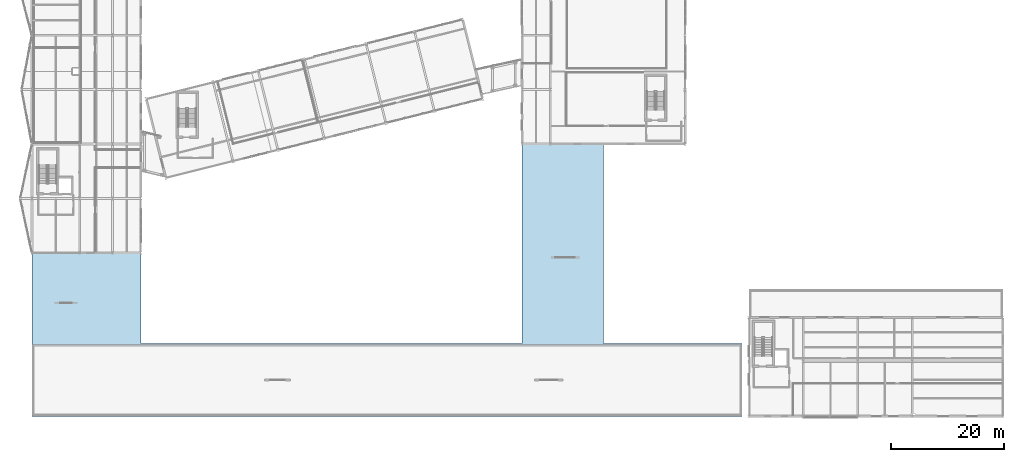
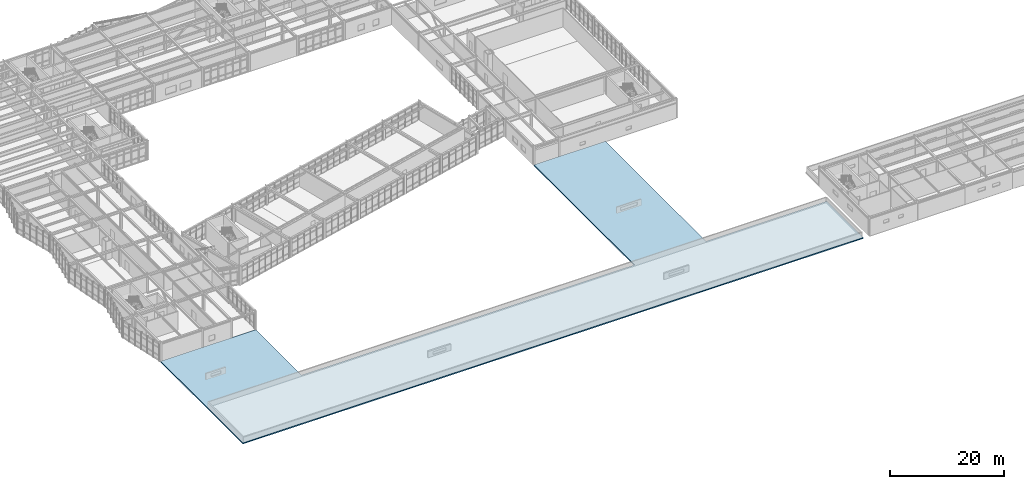
# One storey, part 52 of 88: 1 slab.
"""IFC4 building model written with IfcOpenShell, lengths in metres."""

from ifc_helpers import new_model, si_unit, direction, frame, origin, place, context, subcontext, project, spatial, polyline, outline, extrude, material, layer, layer_set, type_object, element, save


model = new_model("IFC4")

# Units and contexts
model_context = context("Model", 3, precision=1e-05, world=origin(), true_north=direction((0.0, 1.0)))
body_context = subcontext(model_context, "Body", "Model", "MODEL_VIEW")
ifc_project = project(units=[si_unit("LENGTHUNIT", "METRE"), si_unit("AREAUNIT", "SQUARE_METRE"), si_unit("VOLUMEUNIT", "CUBIC_METRE"), si_unit("PLANEANGLEUNIT", "RADIAN"), si_unit("MASSUNIT", "GRAM", prefix="KILO")], contexts=[model_context])

# Site, building, storey
site_placement = place(None, origin())
site = spatial("IfcSite", under=ifc_project, at=site_placement, CompositionType="ELEMENT")
building_placement = place(site_placement, origin())
building = spatial("IfcBuilding", under=site, at=building_placement, Name="Nordkorset Police Headquarters", CompositionType="ELEMENT")
storey_placement = place(building_placement, frame((0.0, 0.0, 9.449951171875)))
storey = spatial("IfcBuildingStorey", under=building, at=storey_placement, Name="L02", CompositionType="ELEMENT", Elevation=9.449951171875)

# Slab
ifc_material = material(Name="Concrete C35/45", Category="concrete")
ifc_layer = layer(ifc_material, 0.235107421875, Name="Concrete C35/45")
ifc_layer_set = layer_set([ifc_layer], Name="Concrete C35/45")
slab_type = type_object("IfcSlabType", Name="Slab_RoofFlat_235", PredefinedType="ROOF", material=ifc_layer_set)
slab_placement = place(storey_placement, frame((0.0, 0.0, -0.23486328125)))
element("IfcSlab", 1, at=slab_placement, inside=storey, type_object=slab_type, Name="Logistics Plinth Ceiling Deck V7", PredefinedType="ROOF", context=body_context, shape_type="SweptSolid", body=[
    extrude(outline(polyline([(0.0, 0.0), (125.199951171875, 0.0), (125.199951171875, 12.800048828125), (100.800048828125, 12.800048828125), (100.800048828125, 47.989990234375), (86.39990234375, 47.989990234375), (86.39990234375, 12.800048828125), (19.199951171875, 12.800048828125), (19.199951171875, 28.7900390625), (0.0, 28.7900390625), (0.0, 0.0)])), origin(), (0.0, 0.0, 1.0), 0.23486328125),
])

save(model, "model.ifc")
